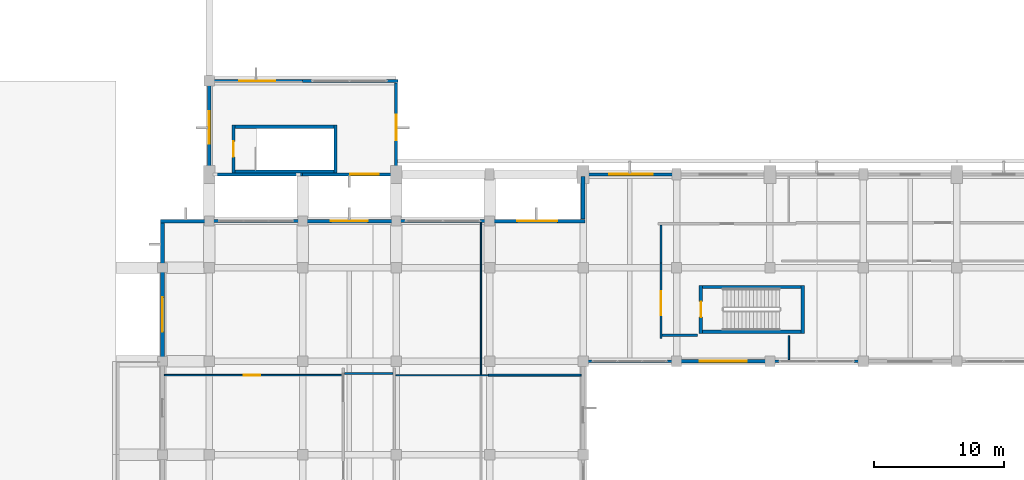
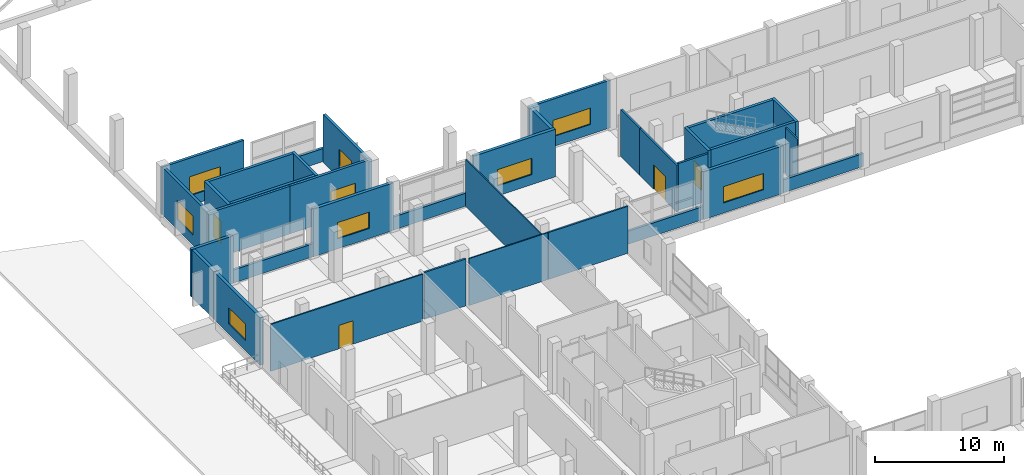
# One storey, part 125 of 140: 35 walls, 9 windows, 4 doors, 13 openings.
"""IFC4 building model written with IfcOpenShell, lengths in metres."""

from ifc_helpers import new_model, si_unit, direction, frame, frame_2d, origin, place, context, subcontext, project, spatial, rectangle, extrude, material, layer, layer_set, type_object, element, fill, save


model = new_model("IFC4")

# Units and contexts
model_context = context("Model", 3, precision=1e-05, world=origin(), true_north=direction((0.0, 1.0)))
body_context = subcontext(model_context, "Body", "Model", "MODEL_VIEW")
ifc_project = project(units=[si_unit("LENGTHUNIT", "METRE"), si_unit("AREAUNIT", "SQUARE_METRE"), si_unit("VOLUMEUNIT", "CUBIC_METRE"), si_unit("PLANEANGLEUNIT", "RADIAN"), si_unit("MASSUNIT", "GRAM", prefix="KILO")], contexts=[model_context])

# Site, building, storey
site_placement = place(None, origin())
site = spatial("IfcSite", under=ifc_project, at=site_placement, CompositionType="ELEMENT")
building_placement = place(site_placement, origin())
building = spatial("IfcBuilding", under=site, at=building_placement, Name="Seraya Terrace Polytechnic", CompositionType="ELEMENT")
storey_placement = place(building_placement, frame((0.0, 0.0, 9.60009765625)))
storey = spatial("IfcBuildingStorey", under=building, at=storey_placement, Name="L02", CompositionType="ELEMENT", Elevation=9.60009765625)

# Wall, opening, window
ifc_material_1 = material(Name="Precast concrete C40/50", Category="concrete")
ifc_layer_1 = layer(ifc_material_1, 0.280029296875, Name="EW-02")
ifc_layer_set_1 = layer_set([ifc_layer_1], Name="Precast concrete C40/50")
wall_type_1 = type_object("IfcWallType", Name="EW-02", PredefinedType="SOLIDWALL", material=ifc_layer_set_1)
wall_1_placement = place(storey_placement, frame((10.800048828125, 64.800048828125, 0.0), z_axis=(0.0, 0.0, 1.0), x_axis=(0.0, 1.0, 0.0)))
wall_1 = element("IfcWall", 1, at=wall_1_placement, inside=storey, type_object=wall_type_1, Name="Exterior structural wall EW-02 L02", PredefinedType="SOLIDWALL", context=body_context, shape_type="SweptSolid", body=[
    extrude(rectangle(XDim=7.199951171875, YDim=0.280029296875, at=frame_2d((3.60009765625, 0.0))), origin(), (0.0, 0.0, 1.0), 4.52001953125),
])
opening_1_placement = place(wall_1_placement, frame((2.27490234375, 0.0, 0.949951171875)))
opening_1 = element("IfcOpeningElement", 2, at=opening_1_placement, cuts=wall_1, Name="Opening WN-22", PredefinedType="OPENING", context=body_context, shape_type="SweptSolid", body=[
    extrude(rectangle(XDim=2.64990234375, YDim=1.550048828125, at=frame_2d((1.324951171875, 0.77490234375))), frame((0.0, 0.15185546875, 0.0), z_axis=(0.0, -1.0, 0.0), x_axis=(1.0, 0.0, 0.0)), (0.0, 0.0, 1.0), 0.303955078125),
])
ifc_material_2 = material(Name="Laminated solar-control Low-E double glazing", Category="glass")
window_type_1 = type_object("IfcWindowType", Name="WN-22", PartitioningType="SINGLE_PANEL", PredefinedType="WINDOW", material=ifc_material_2)
window_1_placement = place(opening_1_placement, origin())
window_1 = element("IfcWindow", 3, at=window_1_placement, inside=storey, type_object=window_type_1, Name="Exterior window WN-22 L02", OverallHeight=1.550048828125, OverallWidth=2.64990234375, PartitioningType="SINGLE_PANEL", PredefinedType="WINDOW", context=body_context, shape_type="SweptSolid", body=[
    extrude(rectangle(XDim=2.64990234375, YDim=1.550048828125, at=frame_2d((1.324951171875, 0.77490234375))), frame((0.0, 0.030029296875, 0.0), z_axis=(0.0, -1.0, 0.0), x_axis=(1.0, 0.0, 0.0)), (0.0, 0.0, 1.0), 0.06005859375),
])
fill(opening_1, window_1)

# Walls
wall_2_placement = place(storey_placement, frame((10.800048828125, 72.0, 0.0), z_axis=(0.0, 0.0, 1.0), x_axis=(0.0, 1.0, 0.0)))
element("IfcWall", 4, at=wall_2_placement, inside=storey, type_object=wall_type_1, Name="Exterior structural wall EW-02 L02", PredefinedType="SOLIDWALL", context=body_context, shape_type="SweptSolid", body=[
    extrude(rectangle(XDim=3.447998046875, YDim=0.280029296875, at=frame_2d((1.72412109375, 0.0))), origin(), (0.0, 0.0, 1.0), 4.52001953125),
])
wall_3_placement = place(storey_placement, frame((10.64990234375, 75.60009765625, 0.0), z_axis=(0.0, 0.0, 1.0), x_axis=(1.0, 0.0, 0.0)))
element("IfcWall", 5, at=wall_3_placement, inside=storey, type_object=wall_type_1, Name="Exterior structural wall EW-02 L02", PredefinedType="SOLIDWALL", context=body_context, shape_type="SweptSolid", body=[
    extrude(rectangle(XDim=3.75, YDim=0.280029296875, at=frame_2d((1.875, 0.0))), origin(), (0.0, 0.0, 1.0), 4.52001953125),
])

# Wall, opening, window
wall_4_placement = place(storey_placement, frame((21.60009765625, 75.60009765625, 0.0), z_axis=(0.0, 0.0, 1.0), x_axis=(1.0, 0.0, 0.0)))
wall_4 = element("IfcWall", 6, at=wall_4_placement, inside=storey, type_object=wall_type_1, Name="Exterior structural wall EW-02 L02", PredefinedType="SOLIDWALL", context=body_context, shape_type="SweptSolid", body=[
    extrude(rectangle(XDim=7.199951171875, YDim=0.280029296875, at=frame_2d((3.60009765625, 0.0))), origin(), (0.0, 0.0, 1.0), 4.52001953125),
])
opening_2_placement = place(wall_4_placement, frame((2.175048828125, 0.0, 0.949951171875)))
opening_2 = element("IfcOpeningElement", 7, at=opening_2_placement, cuts=wall_4, Name="Opening WN-23", PredefinedType="OPENING", context=body_context, shape_type="SweptSolid", body=[
    extrude(rectangle(XDim=2.85009765625, YDim=1.550048828125, at=frame_2d((1.425048828125, 0.77490234375))), frame((0.0, 0.15185546875, 0.0), z_axis=(0.0, -1.0, 0.0), x_axis=(1.0, 0.0, 0.0)), (0.0, 0.0, 1.0), 0.303955078125),
])
window_type_2 = type_object("IfcWindowType", Name="WN-23", PartitioningType="SINGLE_PANEL", PredefinedType="WINDOW", material=ifc_material_2)
window_2_placement = place(opening_2_placement, origin())
window_2 = element("IfcWindow", 8, at=window_2_placement, inside=storey, type_object=window_type_2, Name="Exterior window WN-23 L02", OverallHeight=1.550048828125, OverallWidth=2.85009765625, PartitioningType="SINGLE_PANEL", PredefinedType="WINDOW", context=body_context, shape_type="SweptSolid", body=[
    extrude(rectangle(XDim=2.85009765625, YDim=1.550048828125, at=frame_2d((1.425048828125, 0.77490234375))), frame((0.0, 0.030029296875, 0.0), z_axis=(0.0, -1.0, 0.0), x_axis=(1.0, 0.0, 0.0)), (0.0, 0.0, 1.0), 0.06005859375),
])
fill(opening_2, window_2)

wall_5_placement = place(storey_placement, frame((36.0, 75.60009765625, 0.0), z_axis=(0.0, 0.0, 1.0), x_axis=(1.0, 0.0, 0.0)))
wall_5 = element("IfcWall", 9, at=wall_5_placement, inside=storey, type_object=wall_type_1, Name="Exterior structural wall EW-02 L02", PredefinedType="SOLIDWALL", context=body_context, shape_type="SweptSolid", body=[
    extrude(rectangle(XDim=7.35009765625, YDim=0.280029296875, at=frame_2d((3.675048828125, 0.0))), origin(), (0.0, 0.0, 1.0), 4.52001953125),
])
opening_3_placement = place(wall_5_placement, frame((2.125, 0.0, 0.949951171875)))
opening_3 = element("IfcOpeningElement", 10, at=opening_3_placement, cuts=wall_5, Name="Opening WN-24", PredefinedType="OPENING", context=body_context, shape_type="SweptSolid", body=[
    extrude(rectangle(XDim=3.10009765625, YDim=1.550048828125, at=frame_2d((1.550048828125, 0.77490234375))), frame((0.0, 0.15185546875, 0.0), z_axis=(0.0, -1.0, 0.0), x_axis=(1.0, 0.0, 0.0)), (0.0, 0.0, 1.0), 0.303955078125),
])
window_type_3 = type_object("IfcWindowType", Name="WN-24", PartitioningType="SINGLE_PANEL", PredefinedType="WINDOW", material=ifc_material_2)
window_3_placement = place(opening_3_placement, origin())
window_3 = element("IfcWindow", 11, at=window_3_placement, inside=storey, type_object=window_type_3, Name="Exterior window WN-24 L02", OverallHeight=1.550048828125, OverallWidth=3.10009765625, PartitioningType="SINGLE_PANEL", PredefinedType="WINDOW", context=body_context, shape_type="SweptSolid", body=[
    extrude(rectangle(XDim=3.10009765625, YDim=1.550048828125, at=frame_2d((1.550048828125, 0.77490234375))), frame((0.0, 0.030029296875, 0.0), z_axis=(0.0, -1.0, 0.0), x_axis=(1.0, 0.0, 0.0)), (0.0, 0.0, 1.0), 0.06005859375),
])
fill(opening_3, window_3)

# Wall
wall_6_placement = place(storey_placement, frame((43.199951171875, 75.751953125, 0.0), z_axis=(0.0, 0.0, 1.0), x_axis=(0.0, 1.0, 0.0)))
element("IfcWall", 12, at=wall_6_placement, inside=storey, type_object=wall_type_1, Name="Exterior structural wall EW-02 L02", PredefinedType="SOLIDWALL", context=body_context, shape_type="SweptSolid", body=[
    extrude(rectangle(XDim=3.296142578125, YDim=0.280029296875, at=frame_2d((1.64794921875, 0.0))), origin(), (0.0, 0.0, 1.0), 4.52001953125),
])

# Wall, opening, window
wall_7_placement = place(storey_placement, frame((57.60009765625, 64.800048828125, 0.0), z_axis=(0.0, 0.0, 1.0), x_axis=(-1.0, 0.0, 0.0)))
wall_7 = element("IfcWall", 13, at=wall_7_placement, inside=storey, type_object=wall_type_1, Name="Exterior structural wall EW-02 L02", PredefinedType="SOLIDWALL", context=body_context, shape_type="SweptSolid", body=[
    extrude(rectangle(XDim=7.2001953125, YDim=0.280029296875, at=frame_2d((3.60009765625, 0.0))), origin(), (0.0, 0.0, 1.0), 4.52001953125),
])
opening_4_placement = place(wall_7_placement, frame((1.800048828125, 0.0, 0.949951171875)))
opening_4 = element("IfcOpeningElement", 14, at=opening_4_placement, cuts=wall_7, Name="Opening WN-26", PredefinedType="OPENING", context=body_context, shape_type="SweptSolid", body=[
    extrude(rectangle(XDim=3.60009765625, YDim=1.550048828125, at=frame_2d((1.800048828125, 0.77490234375))), frame((0.0, 0.15185546875, 0.0), z_axis=(0.0, -1.0, 0.0), x_axis=(1.0, 0.0, 0.0)), (0.0, 0.0, 1.0), 0.303955078125),
])
window_type_4 = type_object("IfcWindowType", Name="WN-26", PartitioningType="SINGLE_PANEL", PredefinedType="WINDOW", material=ifc_material_2)
window_4_placement = place(opening_4_placement, origin())
window_4 = element("IfcWindow", 15, at=window_4_placement, inside=storey, type_object=window_type_4, Name="Exterior window WN-26 L02", OverallHeight=1.550048828125, OverallWidth=3.60009765625, PartitioningType="SINGLE_PANEL", PredefinedType="WINDOW", context=body_context, shape_type="SweptSolid", body=[
    extrude(rectangle(XDim=3.60009765625, YDim=1.550048828125, at=frame_2d((1.800048828125, 0.77490234375))), frame((0.0, 0.030029296875, 0.0), z_axis=(0.0, -1.0, 0.0), x_axis=(1.0, 0.0, 0.0)), (0.0, 0.0, 1.0), 0.06005859375),
])
fill(opening_4, window_4)

ifc_material_3 = material(Name="Concrete C40/50", Category="concrete")
ifc_layer_2 = layer(ifc_material_3, 0.239990234375, Name="EW-04")
ifc_layer_set_2 = layer_set([ifc_layer_2], Name="Concrete C40/50")
wall_type_2 = type_object("IfcWallType", Name="EW-04", PredefinedType="SOLIDWALL", material=ifc_layer_set_2)
wall_8_placement = place(storey_placement, frame((43.050048828125, 79.199951171875, 0.0), z_axis=(0.0, 0.0, 1.0), x_axis=(1.0, 0.0, 0.0)))
wall_8 = element("IfcWall", 16, at=wall_8_placement, inside=storey, type_object=wall_type_2, Name="Exterior structural wall EW-04 L02", PredefinedType="SOLIDWALL", context=body_context, shape_type="SweptSolid", body=[
    extrude(rectangle(XDim=7.349853515625, YDim=0.239990234375, at=frame_2d((3.6748046875, 0.0))), origin(), (0.0, 0.0, 1.0), 4.52001953125),
])
opening_5_placement = place(wall_8_placement, frame((2.175048828125, 0.0, 0.949951171875)))
opening_5 = element("IfcOpeningElement", 17, at=opening_5_placement, cuts=wall_8, Name="Opening WN-25", PredefinedType="OPENING", context=body_context, shape_type="SweptSolid", body=[
    extrude(rectangle(XDim=3.35009765625, YDim=1.550048828125, at=frame_2d((1.675048828125, 0.77490234375))), frame((0.0, 0.1318359375, 0.0), z_axis=(0.0, -1.0, 0.0), x_axis=(1.0, 0.0, 0.0)), (0.0, 0.0, 1.0), 0.263916015625),
])
window_type_5 = type_object("IfcWindowType", Name="WN-25", PartitioningType="SINGLE_PANEL", PredefinedType="WINDOW", material=ifc_material_2)
window_5_placement = place(opening_5_placement, origin())
window_5 = element("IfcWindow", 18, at=window_5_placement, inside=storey, type_object=window_type_5, Name="Exterior window WN-25 L02", OverallHeight=1.550048828125, OverallWidth=3.35009765625, PartitioningType="SINGLE_PANEL", PredefinedType="WINDOW", context=body_context, shape_type="SweptSolid", body=[
    extrude(rectangle(XDim=3.35009765625, YDim=1.550048828125, at=frame_2d((1.675048828125, 0.77490234375))), frame((0.0, 0.030029296875, 0.0), z_axis=(0.0, -1.0, 0.0), x_axis=(1.0, 0.0, 0.0)), (0.0, 0.0, 1.0), 0.06005859375),
])
fill(opening_5, window_5)

wall_9_placement = place(storey_placement, frame((28.800048828125, 86.248046875, 0.0), z_axis=(0.0, 0.0, 1.0), x_axis=(0.0, -1.0, 0.0)))
wall_9 = element("IfcWall", 19, at=wall_9_placement, inside=storey, type_object=wall_type_2, Name="Exterior structural wall EW-04 L02", PredefinedType="SOLIDWALL", context=body_context, shape_type="SweptSolid", body=[
    extrude(rectangle(XDim=6.89599609375, YDim=0.239990234375, at=frame_2d((3.447998046875, 0.0))), origin(), (0.0, 0.0, 1.0), 4.52001953125),
])
opening_6_placement = place(wall_9_placement, frame((2.472900390625, 0.0, 0.949951171875)))
opening_6 = element("IfcOpeningElement", 20, at=opening_6_placement, cuts=wall_9, Name="Opening WN-30", PredefinedType="OPENING", context=body_context, shape_type="SweptSolid", body=[
    extrude(rectangle(XDim=1.949951171875, YDim=1.800048828125, at=frame_2d((0.97509765625, 0.89990234375))), frame((0.0, 0.1318359375, 0.0), z_axis=(0.0, -1.0, 0.0), x_axis=(1.0, 0.0, 0.0)), (0.0, 0.0, 1.0), 0.263916015625),
])
window_type_6 = type_object("IfcWindowType", Name="WN-30", PartitioningType="SINGLE_PANEL", PredefinedType="WINDOW", material=ifc_material_2)
window_6_placement = place(opening_6_placement, origin())
window_6 = element("IfcWindow", 21, at=window_6_placement, inside=storey, type_object=window_type_6, Name="Exterior window WN-30 L02", OverallHeight=1.800048828125, OverallWidth=1.949951171875, PartitioningType="SINGLE_PANEL", PredefinedType="WINDOW", context=body_context, shape_type="SweptSolid", body=[
    extrude(rectangle(XDim=1.949951171875, YDim=1.800048828125, at=frame_2d((0.97509765625, 0.89990234375))), frame((0.0, 0.030029296875, 0.0), z_axis=(0.0, -1.0, 0.0), x_axis=(1.0, 0.0, 0.0)), (0.0, 0.0, 1.0), 0.06005859375),
])
fill(opening_6, window_6)

wall_10_placement = place(storey_placement, frame((28.949951171875, 79.199951171875, 0.0), z_axis=(0.0, 0.0, 1.0), x_axis=(-1.0, 0.0, 0.0)))
wall_10 = element("IfcWall", 22, at=wall_10_placement, inside=storey, type_object=wall_type_2, Name="Exterior structural wall EW-04 L02", PredefinedType="SOLIDWALL", context=body_context, shape_type="SweptSolid", body=[
    extrude(rectangle(XDim=7.349853515625, YDim=0.239990234375, at=frame_2d((3.6748046875, 0.0))), origin(), (0.0, 0.0, 1.0), 4.52001953125),
])
opening_7_placement = place(wall_10_placement, frame((1.489990234375, 0.0, 0.949951171875)))
opening_7 = element("IfcOpeningElement", 23, at=opening_7_placement, cuts=wall_10, Name="Opening WN-31", PredefinedType="OPENING", context=body_context, shape_type="SweptSolid", body=[
    extrude(rectangle(XDim=2.199951171875, YDim=1.800048828125, at=frame_2d((1.10009765625, 0.89990234375))), frame((0.0, 0.1318359375, 0.0), z_axis=(0.0, -1.0, 0.0), x_axis=(1.0, 0.0, 0.0)), (0.0, 0.0, 1.0), 0.263916015625),
])
window_type_7 = type_object("IfcWindowType", Name="WN-31", PartitioningType="SINGLE_PANEL", PredefinedType="WINDOW", material=ifc_material_2)
window_7_placement = place(opening_7_placement, origin())
window_7 = element("IfcWindow", 24, at=window_7_placement, inside=storey, type_object=window_type_7, Name="Exterior window WN-31 L02", OverallHeight=1.800048828125, OverallWidth=2.199951171875, PartitioningType="SINGLE_PANEL", PredefinedType="WINDOW", context=body_context, shape_type="SweptSolid", body=[
    extrude(rectangle(XDim=2.199951171875, YDim=1.800048828125, at=frame_2d((1.10009765625, 0.89990234375))), frame((0.0, 0.030029296875, 0.0), z_axis=(0.0, -1.0, 0.0), x_axis=(1.0, 0.0, 0.0)), (0.0, 0.0, 1.0), 0.06005859375),
])
fill(opening_7, window_7)

# Wall
wall_11_placement = place(storey_placement, frame((21.60009765625, 79.199951171875, 0.0), z_axis=(0.0, 0.0, 1.0), x_axis=(-1.0, 0.0, 0.0)))
element("IfcWall", 25, at=wall_11_placement, inside=storey, type_object=wall_type_2, Name="Exterior structural wall EW-04 L02", PredefinedType="SOLIDWALL", context=body_context, shape_type="SweptSolid", body=[
    extrude(rectangle(XDim=7.35009765625, YDim=0.239990234375, at=frame_2d((3.675048828125, 0.0))), origin(), (0.0, 0.0, 1.0), 4.52001953125),
])

# Wall, opening, window
wall_12_placement = place(storey_placement, frame((14.39990234375, 79.35205078125, 0.0), z_axis=(0.0, 0.0, 1.0), x_axis=(0.0, 1.0, 0.0)))
wall_12 = element("IfcWall", 26, at=wall_12_placement, inside=storey, type_object=wall_type_2, Name="Exterior structural wall EW-04 L02", PredefinedType="SOLIDWALL", context=body_context, shape_type="SweptSolid", body=[
    extrude(rectangle(XDim=6.89599609375, YDim=0.239990234375, at=frame_2d((3.447998046875, 0.0))), origin(), (0.0, 0.0, 1.0), 4.52001953125),
])
opening_8_placement = place(wall_12_placement, frame((2.197998046875, 0.0, 0.949951171875)))
opening_8 = element("IfcOpeningElement", 27, at=opening_8_placement, cuts=wall_12, Name="Opening WN-32", PredefinedType="OPENING", context=body_context, shape_type="SweptSolid", body=[
    extrude(rectangle(XDim=2.5, YDim=1.800048828125, at=frame_2d((1.25, 0.89990234375))), frame((0.0, 0.1318359375, 0.0), z_axis=(0.0, -1.0, 0.0), x_axis=(1.0, 0.0, 0.0)), (0.0, 0.0, 1.0), 0.263916015625),
])
window_type_8 = type_object("IfcWindowType", Name="WN-32", PartitioningType="SINGLE_PANEL", PredefinedType="WINDOW", material=ifc_material_2)
window_8_placement = place(opening_8_placement, origin())
window_8 = element("IfcWindow", 28, at=window_8_placement, inside=storey, type_object=window_type_8, Name="Exterior window WN-32 L02", OverallHeight=1.800048828125, OverallWidth=2.5, PartitioningType="SINGLE_PANEL", PredefinedType="WINDOW", context=body_context, shape_type="SweptSolid", body=[
    extrude(rectangle(XDim=2.5, YDim=1.800048828125, at=frame_2d((1.25, 0.89990234375))), frame((0.0, 0.030029296875, 0.0), z_axis=(0.0, -1.0, 0.0), x_axis=(1.0, 0.0, 0.0)), (0.0, 0.0, 1.0), 0.06005859375),
])
fill(opening_8, window_8)

wall_13_placement = place(storey_placement, frame((14.25, 86.39990234375, 0.0), z_axis=(0.0, 0.0, 1.0), x_axis=(1.0, 0.0, 0.0)))
wall_13 = element("IfcWall", 29, at=wall_13_placement, inside=storey, type_object=wall_type_2, Name="Exterior structural wall EW-04 L02", PredefinedType="SOLIDWALL", context=body_context, shape_type="SweptSolid", body=[
    extrude(rectangle(XDim=7.35009765625, YDim=0.239990234375, at=frame_2d((3.675048828125, 0.0))), origin(), (0.0, 0.0, 1.0), 4.52001953125),
])
opening_9_placement = place(wall_13_placement, frame((2.449951171875, 0.0, 0.949951171875)))
opening_9 = element("IfcOpeningElement", 30, at=opening_9_placement, cuts=wall_13, Name="Opening WN-33", PredefinedType="OPENING", context=body_context, shape_type="SweptSolid", body=[
    extrude(rectangle(XDim=2.800048828125, YDim=1.800048828125, at=frame_2d((1.39990234375, 0.89990234375))), frame((0.0, 0.1318359375, 0.0), z_axis=(0.0, -1.0, 0.0), x_axis=(1.0, 0.0, 0.0)), (0.0, 0.0, 1.0), 0.263916015625),
])
window_type_9 = type_object("IfcWindowType", Name="WN-33", PartitioningType="SINGLE_PANEL", PredefinedType="WINDOW", material=ifc_material_2)
window_9_placement = place(opening_9_placement, origin())
window_9 = element("IfcWindow", 31, at=window_9_placement, inside=storey, type_object=window_type_9, Name="Exterior window WN-33 L02", OverallHeight=1.800048828125, OverallWidth=2.800048828125, PartitioningType="SINGLE_PANEL", PredefinedType="WINDOW", context=body_context, shape_type="SweptSolid", body=[
    extrude(rectangle(XDim=2.800048828125, YDim=1.800048828125, at=frame_2d((1.39990234375, 0.89990234375))), frame((0.0, 0.030029296875, 0.0), z_axis=(0.0, -1.0, 0.0), x_axis=(1.0, 0.0, 0.0)), (0.0, 0.0, 1.0), 0.06005859375),
])
fill(opening_9, window_9)

# Walls
ifc_layer_3 = layer(ifc_material_1, 0.219970703125, Name="EW-05")
ifc_layer_set_3 = layer_set([ifc_layer_3], Name="Precast concrete C40/50")
wall_type_3 = type_object("IfcWallType", Name="EW-05", PredefinedType="SOLIDWALL", material=ifc_layer_set_3)
wall_14_placement = place(storey_placement, frame((14.39990234375, 75.60009765625, 0.0), z_axis=(0.0, 0.0, 1.0), x_axis=(1.0, 0.0, 0.0)))
element("IfcWall", 32, at=wall_14_placement, inside=storey, type_object=wall_type_3, Name="Precast spandrel wall L02", PredefinedType="SOLIDWALL", context=body_context, shape_type="SweptSolid", body=[
    extrude(rectangle(XDim=7.2001953125, YDim=0.219970703125, at=frame_2d((3.60009765625, 0.0))), origin(), (0.0, 0.0, 1.0), 1.239990234375),
])
for number, where, z_axis, x_axis, name in (
    (33, (28.800048828125, 75.60009765625, 0.0), (0.0, 0.0, 1.0), (1.0, 0.0, 0.0), "Precast spandrel wall L02"),
    (34, (64.800048828125, 64.800048828125, 0.0), (0.0, 0.0, 1.0), (-1.0, 0.0, 0.0), "Precast spandrel wall L02"),
):
    element("IfcWall", number, at=place(storey_placement, frame(where, z_axis=z_axis, x_axis=x_axis)), inside=storey, type_object=wall_type_3, Name=name, PredefinedType="SOLIDWALL", context=body_context, shape_type="SweptSolid", body=[
        extrude(rectangle(XDim=7.199951171875, YDim=0.219970703125, at=frame_2d((3.60009765625, 0.0))), origin(), (0.0, 0.0, 1.0), 1.239990234375),
    ])
for number, where, z_axis, x_axis, name in (
    (35, (50.39990234375, 64.800048828125, 0.0), (0.0, 0.0, 1.0), (-1.0, 0.0, 0.0), "Precast spandrel wall L02"),
    (36, (21.60009765625, 86.39990234375, 0.0), (0.0, 0.0, 1.0), (1.0, 0.0, 0.0), "Precast spandrel wall L02"),
):
    element("IfcWall", number, at=place(storey_placement, frame(where, z_axis=z_axis, x_axis=x_axis)), inside=storey, type_object=wall_type_3, Name=name, PredefinedType="SOLIDWALL", context=body_context, shape_type="SweptSolid", body=[
        extrude(rectangle(XDim=7.349853515625, YDim=0.219970703125, at=frame_2d((3.6748046875, 0.0))), origin(), (0.0, 0.0, 1.0), 1.239990234375),
    ])
ifc_material_4 = material(Name="Autoclaved aerated concrete blockwork", Category="masonry")
ifc_layer_4 = layer(ifc_material_4, 0.169921875, Name="PT-02")
ifc_layer_set_4 = layer_set([ifc_layer_4], Name="Autoclaved aerated concrete blockwork")
wall_type_4 = type_object("IfcWallType", Name="PT-02", PredefinedType="PARTITIONING", material=ifc_layer_set_4)
wall_15_placement = place(storey_placement, frame((49.199951171875, 72.360107421875, 0.0), z_axis=(0.0, 0.0, 1.0), x_axis=(0.0, 1.0, 0.0)))
element("IfcWall", 37, at=wall_15_placement, inside=storey, type_object=wall_type_4, Name="Internal partition PT-02 L02", PredefinedType="PARTITIONING", context=body_context, shape_type="SweptSolid", body=[
    extrude(rectangle(XDim=2.93994140625, YDim=0.169921875, at=frame_2d((1.469970703125, 0.0))), origin(), (0.0, 0.0, 1.0), 4.4599609375),
])

# Wall, opening, door
wall_16_placement = place(storey_placement, frame((49.199951171875, 66.56005859375, 0.0), z_axis=(0.0, 0.0, 1.0), x_axis=(0.0, 1.0, 0.0)))
wall_16 = element("IfcWall", 38, at=wall_16_placement, inside=storey, type_object=wall_type_4, Name="Internal partition PT-02 L02", PredefinedType="PARTITIONING", context=body_context, shape_type="SweptSolid", body=[
    extrude(rectangle(XDim=5.800048828125, YDim=0.169921875, at=frame_2d((2.89990234375, 0.0))), origin(), (0.0, 0.0, 1.0), 4.4599609375),
])
opening_10_placement = place(wall_16_placement, frame((1.780029296875, 0.0, 0.0)))
opening_10 = element("IfcOpeningElement", 39, at=opening_10_placement, cuts=wall_16, Name="Opening ID-15", PredefinedType="OPENING", context=body_context, shape_type="SweptSolid", body=[
    extrude(rectangle(XDim=1.840087890625, YDim=2.300048828125, at=frame_2d((0.919921875, 1.14990234375))), frame((0.0, 0.096923828125, 0.0), z_axis=(0.0, -1.0, 0.0), x_axis=(1.0, 0.0, 0.0)), (0.0, 0.0, 1.0), 0.19384765625),
])
ifc_material_5 = material(Name="Malaysian dark red meranti hardwood timber D40", Category="wood")
door_type_1 = type_object("IfcDoorType", Name="ID-15", OperationType="DOUBLE_DOOR_SINGLE_SWING", PredefinedType="DOOR", material=ifc_material_5)
door_1_placement = place(opening_10_placement, origin())
door_1 = element("IfcDoor", 40, at=door_1_placement, inside=storey, type_object=door_type_1, Name="Door ID-15 DR-INT-L02-0156 in WL-INT-L02-0465", OperationType="DOUBLE_DOOR_SINGLE_SWING", OverallHeight=2.300048828125, OverallWidth=1.840087890625, PredefinedType="DOOR", context=body_context, shape_type="SweptSolid", body=[
    extrude(rectangle(XDim=1.840087890625, YDim=2.300048828125, at=frame_2d((0.919921875, 1.14990234375))), frame((0.0, 0.02490234375, 0.0), z_axis=(0.0, -1.0, 0.0), x_axis=(1.0, 0.0, 0.0)), (0.0, 0.0, 1.0), 0.050048828125),
])
fill(opening_10, door_1)

# Walls
wall_17_placement = place(storey_placement, frame((49.300048828125, 66.800048828125, 0.0), z_axis=(0.0, 0.0, 1.0), x_axis=(1.0, 0.0, 0.0)))
element("IfcWall", 41, at=wall_17_placement, inside=storey, type_object=wall_type_4, Name="Internal partition PT-02 L02", PredefinedType="PARTITIONING", context=body_context, shape_type="SweptSolid", body=[
    extrude(rectangle(XDim=2.709716796875, YDim=0.169921875, at=frame_2d((1.35498046875, 0.0))), origin(), (0.0, 0.0, 1.0), 4.4599609375),
])
wall_18_placement = place(storey_placement, frame((24.830078125, 63.864013671875, 0.0), z_axis=(0.0, 0.0, 1.0), x_axis=(1.0, 0.0, 0.0)))
element("IfcWall", 42, at=wall_18_placement, inside=storey, type_object=wall_type_4, Name="Internal partition PT-02 L02", PredefinedType="PARTITIONING", context=body_context, shape_type="SweptSolid", body=[
    extrude(rectangle(XDim=3.739990234375, YDim=0.169921875, at=frame_2d((1.8701171875, 0.0))), origin(), (0.0, 0.0, 1.0), 4.4599609375),
])
ifc_layer_5 = layer(ifc_material_4, 0.14990234375, Name="PT-03")
ifc_layer_set_5 = layer_set([ifc_layer_5], Name="Autoclaved aerated concrete blockwork")
wall_type_5 = type_object("IfcWallType", Name="PT-03", PredefinedType="PARTITIONING", material=ifc_layer_set_5)
wall_19_placement = place(storey_placement, frame((35.89599609375, 63.72802734375, 0.0), z_axis=(0.0, 0.0, 1.0), x_axis=(1.0, 0.0, 0.0)))
element("IfcWall", 43, at=wall_19_placement, inside=storey, type_object=wall_type_5, Name="Internal partition PT-03 L02", PredefinedType="PARTITIONING", context=body_context, shape_type="SweptSolid", body=[
    extrude(rectangle(XDim=7.152099609375, YDim=0.14990234375, at=frame_2d((3.576171875, 0.0))), origin(), (0.0, 0.0, 1.0), 4.4599609375),
])

# Wall, opening, door
ifc_layer_6 = layer(ifc_material_4, 0.1201171875, Name="PT-05")
ifc_layer_set_6 = layer_set([ifc_layer_6], Name="Autoclaved aerated concrete blockwork")
wall_type_6 = type_object("IfcWallType", Name="PT-05", PredefinedType="PARTITIONING", material=ifc_layer_set_6)
wall_20_placement = place(storey_placement, frame((10.951904296875, 63.72802734375, 0.0), z_axis=(0.0, 0.0, 1.0), x_axis=(1.0, 0.0, 0.0)))
wall_20 = element("IfcWall", 44, at=wall_20_placement, inside=storey, type_object=wall_type_6, Name="Internal partition PT-05 L02", PredefinedType="PARTITIONING", context=body_context, shape_type="SweptSolid", body=[
    extrude(rectangle(XDim=13.677978515625, YDim=0.1201171875, at=frame_2d((6.8388671875, 0.0))), origin(), (0.0, 0.0, 1.0), 4.4599609375),
])
opening_11_placement = place(wall_20_placement, frame((6.114990234375, 0.0, 0.0)))
opening_11 = element("IfcOpeningElement", 45, at=opening_11_placement, cuts=wall_20, Name="Opening ID-08", PredefinedType="OPENING", context=body_context, shape_type="SweptSolid", body=[
    extrude(rectangle(XDim=1.280029296875, YDim=2.219970703125, at=frame_2d((0.64013671875, 1.10986328125))), frame((0.0, 0.072021484375, 0.0), z_axis=(0.0, -1.0, 0.0), x_axis=(1.0, 0.0, 0.0)), (0.0, 0.0, 1.0), 0.14404296875),
])
door_type_2 = type_object("IfcDoorType", Name="ID-08", OperationType="NOTDEFINED", PredefinedType="DOOR", material=ifc_material_5)
door_2_placement = place(opening_11_placement, frame((1.280029296875, 0.0, 0.0), z_axis=(0.0, 0.0, 1.0), x_axis=(-1.0, 0.0, 0.0)))
door_2 = element("IfcDoor", 46, at=door_2_placement, inside=storey, type_object=door_type_2, Name="Door ID-08 DR-INT-L02-0165 in WL-INT-L02-0515", OperationType="SINGLE_SWING_RIGHT", OverallHeight=2.219970703125, OverallWidth=1.280029296875, PredefinedType="DOOR", context=body_context, shape_type="SweptSolid", body=[
    extrude(rectangle(XDim=1.280029296875, YDim=2.219970703125, at=frame_2d((0.64013671875, 1.10986328125))), frame((0.0, 0.02490234375, 0.0), z_axis=(0.0, -1.0, 0.0), x_axis=(1.0, 0.0, 0.0)), (0.0, 0.0, 1.0), 0.050048828125),
])
fill(opening_11, door_2)

# Walls
wall_21_placement = place(storey_placement, frame((59.052001953125, 64.922119140625, 0.0), z_axis=(0.0, 0.0, 1.0), x_axis=(0.0, 1.0, 0.0)))
element("IfcWall", 47, at=wall_21_placement, inside=storey, type_object=wall_type_6, Name="Internal partition PT-05 L02", PredefinedType="PARTITIONING", context=body_context, shape_type="SweptSolid", body=[
    extrude(rectangle(XDim=1.847900390625, YDim=0.1201171875, at=frame_2d((0.923828125, 0.0))), origin(), (0.0, 0.0, 1.0), 4.4599609375),
])
ifc_layer_7 = layer(ifc_material_4, 0.10009765625, Name="PT-06")
ifc_layer_set_7 = layer_set([ifc_layer_7], Name="Autoclaved aerated concrete blockwork")
wall_type_7 = type_object("IfcWallType", Name="PT-06", PredefinedType="PARTITIONING", material=ifc_layer_set_7)
wall_22_placement = place(storey_placement, frame((28.77001953125, 63.72802734375, 0.0), z_axis=(0.0, 0.0, 1.0), x_axis=(1.0, 0.0, 0.0)))
element("IfcWall", 48, at=wall_22_placement, inside=storey, type_object=wall_type_7, Name="Internal partition PT-06 L02", PredefinedType="PARTITIONING", context=body_context, shape_type="SweptSolid", body=[
    extrude(rectangle(XDim=7.1259765625, YDim=0.10009765625, at=frame_2d((3.56298828125, 0.0))), origin(), (0.0, 0.0, 1.0), 4.4599609375),
])
wall_23_placement = place(storey_placement, frame((35.3359375, 63.79296875, 0.0), z_axis=(0.0, 0.0, 1.0), x_axis=(0.0, 1.0, 0.0)))
element("IfcWall", 49, at=wall_23_placement, inside=storey, type_object=wall_type_7, Name="Internal partition PT-06 L02", PredefinedType="PARTITIONING", context=body_context, shape_type="SweptSolid", body=[
    extrude(rectangle(XDim=11.68505859375, YDim=0.10009765625, at=frame_2d((5.842529296875, 0.0))), origin(), (0.0, 0.0, 1.0), 4.4599609375),
])

# Wall, opening, door
ifc_layer_8 = layer(ifc_material_3, 0.25, Name="SW-02")
ifc_layer_set_8 = layer_set([ifc_layer_8], Name="Concrete C40/50")
wall_type_8 = type_object("IfcWallType", Name="SW-02", PredefinedType="SHEAR", material=ifc_layer_set_8)
wall_24_placement = place(storey_placement, frame((52.27490234375, 66.949951171875, 0.0), z_axis=(0.0, 0.0, 1.0), x_axis=(0.0, 1.0, 0.0)))
wall_24 = element("IfcWall", 50, at=wall_24_placement, inside=storey, type_object=wall_type_8, Name="Stairwell ST-06 West wall L02", PredefinedType="SHEAR", context=body_context, shape_type="SweptSolid", body=[
    extrude(rectangle(XDim=3.699951171875, YDim=0.25, at=frame_2d((1.85009765625, 0.0))), origin(), (0.0, 0.0, 1.0), 4.5498046875),
])
opening_12_placement = place(wall_24_placement, frame((1.25, 0.0, 0.0)))
opening_12 = element("IfcOpeningElement", 51, at=opening_12_placement, cuts=wall_24, Name="Opening FD-01", PredefinedType="OPENING", context=body_context, shape_type="SweptSolid", body=[
    extrude(rectangle(XDim=1.199951171875, YDim=2.14990234375, at=frame_2d((0.60009765625, 1.074951171875))), frame((0.0, 0.136962890625, 0.0), z_axis=(0.0, -1.0, 0.0), x_axis=(1.0, 0.0, 0.0)), (0.0, 0.0, 1.0), 0.27392578125),
])
ifc_material_6 = material(Name="Steel S355J2", Category="steel")
door_type_3 = type_object("IfcDoorType", Name="FD-01", OperationType="NOTDEFINED", PredefinedType="DOOR", material=ifc_material_6)
door_3_placement = place(opening_12_placement, frame((1.199951171875, 0.0, 0.0), z_axis=(0.0, 0.0, 1.0), x_axis=(-1.0, 0.0, 0.0)))
door_3 = element("IfcDoor", 52, at=door_3_placement, inside=storey, type_object=door_type_3, Name="Door FD-01 DR-STR-ST-06-L02 in WL-STR-ST-06-L02-W", OperationType="SINGLE_SWING_LEFT", OverallHeight=2.14990234375, OverallWidth=1.199951171875, PredefinedType="DOOR", context=body_context, shape_type="SweptSolid", body=[
    extrude(rectangle(XDim=1.199951171875, YDim=2.14990234375, at=frame_2d((0.60009765625, 1.074951171875))), frame((0.0, 0.02490234375, 0.0), z_axis=(0.0, -1.0, 0.0), x_axis=(1.0, 0.0, 0.0)), (0.0, 0.0, 1.0), 0.050048828125),
])
fill(opening_12, door_3)

# Walls
wall_25_placement = place(storey_placement, frame((60.125, 66.949951171875, 0.0), z_axis=(0.0, 0.0, 1.0), x_axis=(0.0, 1.0, 0.0)))
element("IfcWall", 53, at=wall_25_placement, inside=storey, type_object=wall_type_8, Name="Stairwell ST-06 East wall L02", PredefinedType="SHEAR", context=body_context, shape_type="SweptSolid", body=[
    extrude(rectangle(XDim=3.699951171875, YDim=0.25, at=frame_2d((1.85009765625, 0.0))), origin(), (0.0, 0.0, 1.0), 4.5498046875),
])
for number, where, z_axis, x_axis, name in (
    (54, (52.39990234375, 67.074951171875, 0.0), (0.0, 0.0, 1.0), (1.0, 0.0, 0.0), "Stairwell ST-06 South wall L02"),
    (55, (52.39990234375, 70.52490234375, 0.0), (0.0, 0.0, 1.0), (1.0, 0.0, 0.0), "Stairwell ST-06 North wall L02"),
):
    element("IfcWall", number, at=place(storey_placement, frame(where, z_axis=z_axis, x_axis=x_axis)), inside=storey, type_object=wall_type_8, Name=name, PredefinedType="SHEAR", context=body_context, shape_type="SweptSolid", body=[
        extrude(rectangle(XDim=7.60009765625, YDim=0.25, at=frame_2d((3.800048828125, 0.0))), origin(), (0.0, 0.0, 1.0), 4.5498046875),
    ])

# Wall, opening, door
wall_26_placement = place(storey_placement, frame((16.27490234375, 79.300048828125, 0.0), z_axis=(0.0, 0.0, 1.0), x_axis=(0.0, 1.0, 0.0)))
wall_26 = element("IfcWall", 56, at=wall_26_placement, inside=storey, type_object=wall_type_8, Name="Stairwell ST-07 West wall L02", PredefinedType="SHEAR", context=body_context, shape_type="SweptSolid", body=[
    extrude(rectangle(XDim=3.699951171875, YDim=0.25, at=frame_2d((1.85009765625, 0.0))), origin(), (0.0, 0.0, 1.0), 4.5498046875),
])
opening_13_placement = place(wall_26_placement, frame((1.25, 0.0, 0.0)))
opening_13 = element("IfcOpeningElement", 57, at=opening_13_placement, cuts=wall_26, Name="Opening FD-01", PredefinedType="OPENING", context=body_context, shape_type="SweptSolid", body=[
    extrude(rectangle(XDim=1.199951171875, YDim=2.14990234375, at=frame_2d((0.60009765625, 1.074951171875))), frame((0.0, 0.136962890625, 0.0), z_axis=(0.0, -1.0, 0.0), x_axis=(1.0, 0.0, 0.0)), (0.0, 0.0, 1.0), 0.27392578125),
])
door_4_placement = place(opening_13_placement, frame((1.199951171875, 0.0, 0.0), z_axis=(0.0, 0.0, 1.0), x_axis=(-1.0, 0.0, 0.0)))
door_4 = element("IfcDoor", 58, at=door_4_placement, inside=storey, type_object=door_type_3, Name="Door FD-01 DR-STR-ST-07-L02 in WL-STR-ST-07-L02-W", OperationType="SINGLE_SWING_LEFT", OverallHeight=2.14990234375, OverallWidth=1.199951171875, PredefinedType="DOOR", context=body_context, shape_type="SweptSolid", body=[
    extrude(rectangle(XDim=1.199951171875, YDim=2.14990234375, at=frame_2d((0.60009765625, 1.074951171875))), frame((0.0, 0.02490234375, 0.0), z_axis=(0.0, -1.0, 0.0), x_axis=(1.0, 0.0, 0.0)), (0.0, 0.0, 1.0), 0.050048828125),
])
fill(opening_13, door_4)

# Walls
wall_27_placement = place(storey_placement, frame((24.125, 79.300048828125, 0.0), z_axis=(0.0, 0.0, 1.0), x_axis=(0.0, 1.0, 0.0)))
element("IfcWall", 59, at=wall_27_placement, inside=storey, type_object=wall_type_8, Name="Stairwell ST-07 East wall L02", PredefinedType="SHEAR", context=body_context, shape_type="SweptSolid", body=[
    extrude(rectangle(XDim=3.699951171875, YDim=0.25, at=frame_2d((1.85009765625, 0.0))), origin(), (0.0, 0.0, 1.0), 4.5498046875),
])
for number, where, z_axis, x_axis, name in (
    (60, (16.39990234375, 79.425048828125, 0.0), (0.0, 0.0, 1.0), (1.0, 0.0, 0.0), "Stairwell ST-07 South wall L02"),
    (61, (16.39990234375, 82.875, 0.0), (0.0, 0.0, 1.0), (1.0, 0.0, 0.0), "Stairwell ST-07 North wall L02"),
):
    element("IfcWall", number, at=place(storey_placement, frame(where, z_axis=z_axis, x_axis=x_axis)), inside=storey, type_object=wall_type_8, Name=name, PredefinedType="SHEAR", context=body_context, shape_type="SweptSolid", body=[
        extrude(rectangle(XDim=7.60009765625, YDim=0.25, at=frame_2d((3.800048828125, 0.0))), origin(), (0.0, 0.0, 1.0), 4.5498046875),
    ])

save(model, "model.ifc")
